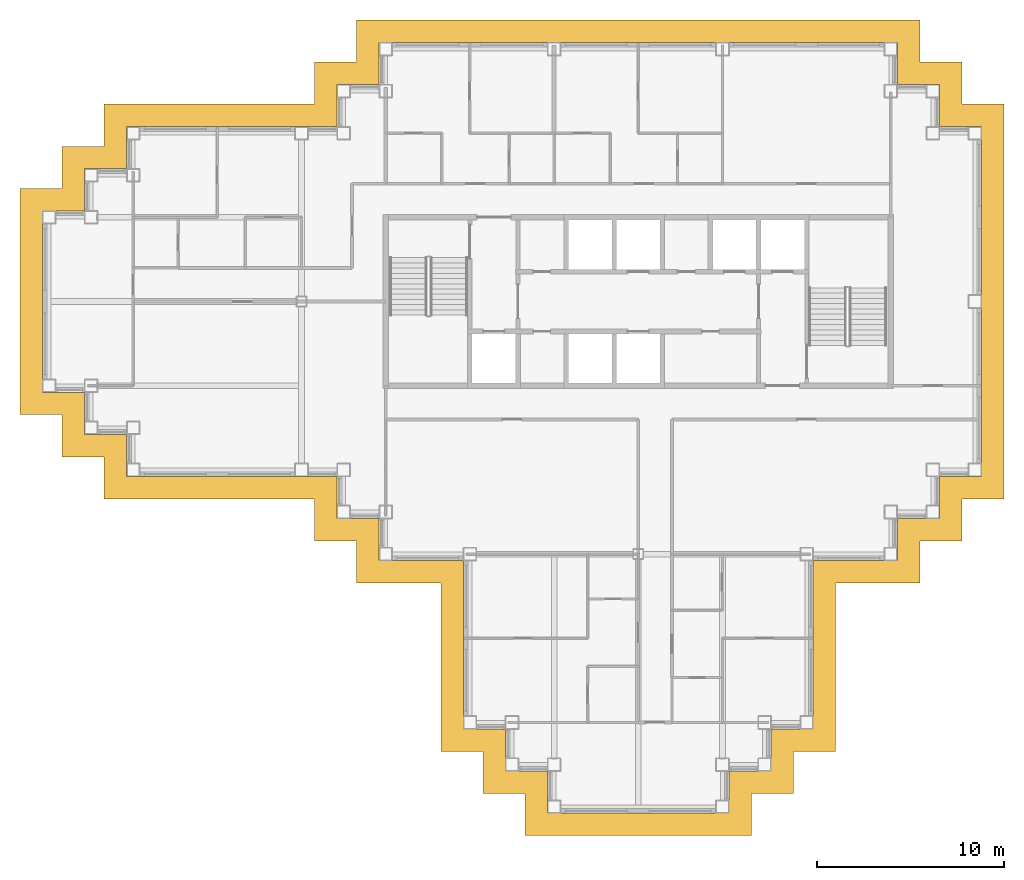
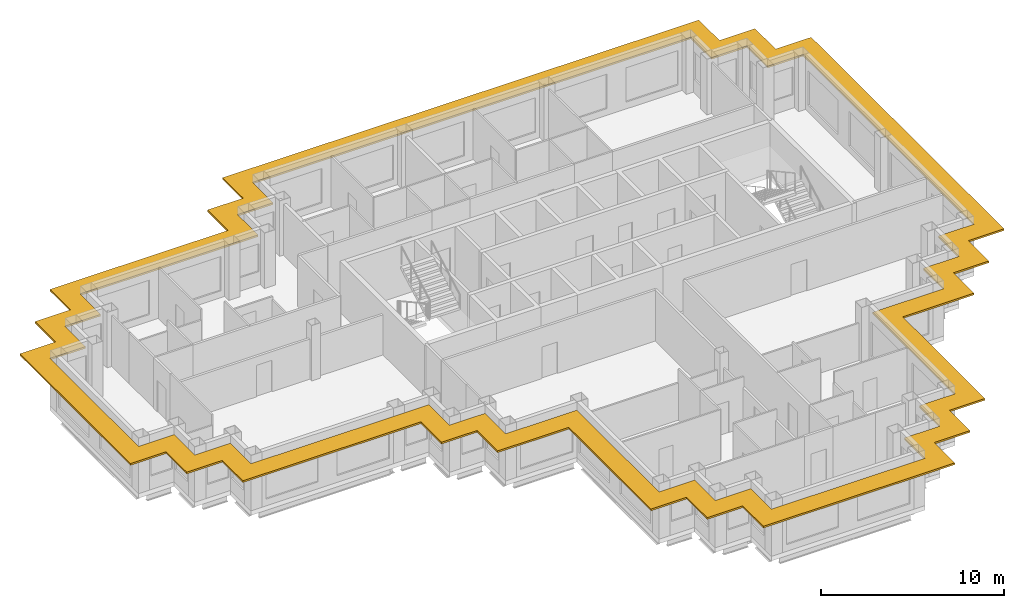
# One storey, part 10 of 11: 1 shading device.
"""IFC4 building model written with IfcOpenShell, lengths in metres."""

from ifc_helpers import new_model, si_unit, direction, frame, origin, place, context, subcontext, project, spatial, polyline, outline, extrude, material, layer, layer_set, type_object, element, save


model = new_model("IFC4")

# Units and contexts
model_context = context("Model", 3, precision=1e-05, world=origin(), true_north=direction((0.0, 1.0)))
body_context = subcontext(model_context, "Body", "Model", "MODEL_VIEW")
ifc_project = project(units=[si_unit("LENGTHUNIT", "METRE"), si_unit("AREAUNIT", "SQUARE_METRE"), si_unit("VOLUMEUNIT", "CUBIC_METRE"), si_unit("PLANEANGLEUNIT", "RADIAN"), si_unit("MASSUNIT", "GRAM", prefix="KILO")], contexts=[model_context])

# Site, building, storey
site_placement = place(None, origin())
site = spatial("IfcSite", under=ifc_project, at=site_placement, CompositionType="ELEMENT")
building_placement = place(site_placement, origin())
building = spatial("IfcBuilding", under=site, at=building_placement, Name="Caravel Reach Hotel and Residences", CompositionType="ELEMENT")
storey_placement = place(building_placement, frame((0.0, 0.0, 210.89990234375)))
storey = spatial("IfcBuildingStorey", under=building, at=storey_placement, Name="L53", CompositionType="ELEMENT", Elevation=210.89990234375)

# Shading device
ifc_material = material(Name="Black powder-coated aluminium", Category="aluminium")
ifc_layer = layer(ifc_material, 0.1201171875)
ifc_layer_set = layer_set([ifc_layer], Name="SS1 Sunshade band 1200")
shading_device_type = type_object("IfcShadingDeviceType", Name="SS1 Sunshade band 1200", PredefinedType="USERDEFINED", material=ifc_layer_set)
shading_device_placement = place(storey_placement, frame((0.0, 0.0, 3.0400390625)))
element("IfcShadingDevice", 1, at=shading_device_placement, inside=storey, type_object=shading_device_type, Name="Sunshade L53 1", ObjectType="SUNSHADE", PredefinedType="USERDEFINED", context=body_context, shape_type="SweptSolid", body=[
    extrude(outline(polyline([(42.050048828125, 2.949951171875), (42.050048828125, 11.949951171875), (46.550048828125, 11.949951171875), (46.550048828125, 14.199951171875), (48.800048828125, 14.199951171875), (48.800048828125, 16.449951171875), (51.050048828125, 16.449951171875), (51.050048828125, 37.550048828125), (48.800048828125, 37.550048828125), (48.800048828125, 39.800048828125), (46.550048828125, 39.800048828125), (46.550048828125, 42.050048828125), (16.449951171875, 42.050048828125), (16.449951171875, 39.800048828125), (14.199951171875, 39.800048828125), (14.199951171875, 37.550048828125), (2.949951171875, 37.550048828125), (2.949951171875, 35.300048828125), (0.699951171875, 35.300048828125), (0.699951171875, 33.050048828125), (-1.550048828125, 33.050048828125), (-1.550048828125, 20.949951171875), (0.699951171875, 20.949951171875), (0.699951171875, 18.699951171875), (2.949951171875, 18.699951171875), (2.949951171875, 16.449951171875), (14.199951171875, 16.449951171875), (14.199951171875, 14.199951171875), (16.449951171875, 14.199951171875), (16.449951171875, 11.949951171875), (20.949951171875, 11.949951171875), (20.949951171875, 2.949951171875), (23.199951171875, 2.949951171875), (23.199951171875, 0.699951171875), (25.449951171875, 0.699951171875), (25.449951171875, -1.550048828125), (37.550048828125, -1.550048828125), (37.550048828125, 0.699951171875), (39.800048828125, 0.699951171875), (39.800048828125, 2.949951171875), (42.050048828125, 2.949951171875)]), holes=[polyline([(45.35009765625, 13.14990234375), (40.85009765625, 13.14990234375), (40.85009765625, 4.14990234375), (38.60009765625, 4.14990234375), (38.60009765625, 1.89990234375), (36.35009765625, 1.89990234375), (36.35009765625, -0.35009765625), (26.64990234375, -0.35009765625), (26.64990234375, 1.89990234375), (24.39990234375, 1.89990234375), (24.39990234375, 4.14990234375), (22.14990234375, 4.14990234375), (22.14990234375, 13.14990234375), (17.64990234375, 13.14990234375), (17.64990234375, 15.39990234375), (15.39990234375, 15.39990234375), (15.39990234375, 17.64990234375), (4.14990234375, 17.64990234375), (4.14990234375, 19.89990234375), (1.89990234375, 19.89990234375), (1.89990234375, 22.14990234375), (-0.35009765625, 22.14990234375), (-0.35009765625, 31.85009765625), (1.89990234375, 31.85009765625), (1.89990234375, 34.10009765625), (4.14990234375, 34.10009765625), (4.14990234375, 36.35009765625), (15.39990234375, 36.35009765625), (15.39990234375, 38.60009765625), (17.64990234375, 38.60009765625), (17.64990234375, 40.85009765625), (45.35009765625, 40.85009765625), (45.35009765625, 38.60009765625), (47.60009765625, 38.60009765625), (47.60009765625, 36.35009765625), (49.85009765625, 36.35009765625), (49.85009765625, 17.64990234375), (47.60009765625, 17.64990234375), (47.60009765625, 15.39990234375), (45.35009765625, 15.39990234375), (45.35009765625, 13.14990234375)])]), origin(), (0.0, 0.0, 1.0), 0.1201171875),
])

save(model, "model.ifc")
